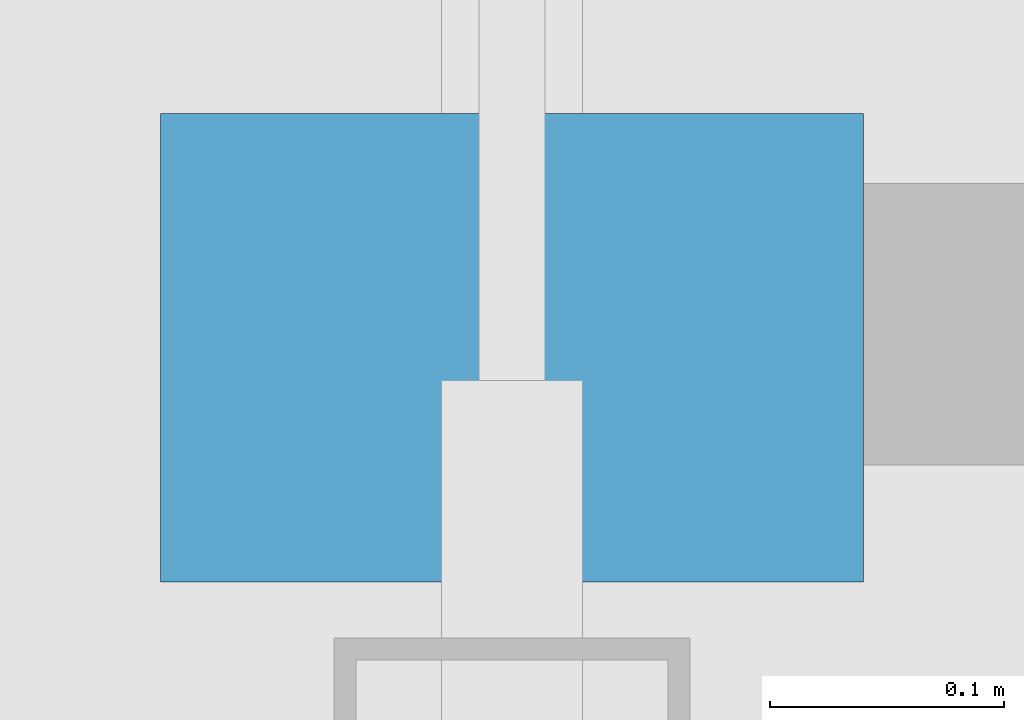
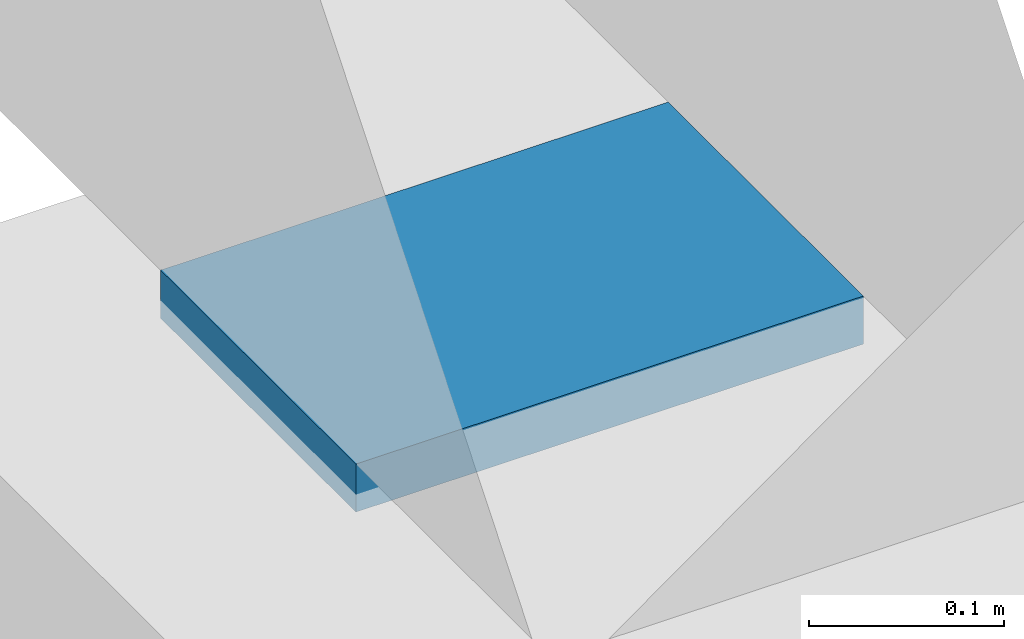
# One storey, part 106 of 131: 1 discrete accessory.
"""IFC4 building model written with IfcOpenShell, lengths in metres."""

from ifc_helpers import new_model, si_unit, direction, frame, origin, origin_2d, place, context, subcontext, project, spatial, rectangle, extrude, material, material_profile, profile_set, type_object, element, save


model = new_model("IFC4")

# Units and contexts
model_context = context("Model", 3, precision=1e-05, world=origin(), true_north=direction((0.0, 1.0)))
body_context = subcontext(model_context, "Body", "Model", "MODEL_VIEW")
ifc_project = project(units=[si_unit("LENGTHUNIT", "METRE"), si_unit("AREAUNIT", "SQUARE_METRE"), si_unit("VOLUMEUNIT", "CUBIC_METRE"), si_unit("PLANEANGLEUNIT", "RADIAN"), si_unit("MASSUNIT", "GRAM", prefix="KILO")], contexts=[model_context])

# Site, building, storey
site_placement = place(None, origin())
site = spatial("IfcSite", under=ifc_project, at=site_placement, CompositionType="ELEMENT")
building_placement = place(site_placement, origin())
building = spatial("IfcBuilding", under=site, at=building_placement, Name="Alderwick Market Hall", CompositionType="ELEMENT")
storey_placement = place(building_placement, frame((0.0, 0.0, 4.800048828125)))
storey = spatial("IfcBuildingStorey", under=building, at=storey_placement, Name="L00", CompositionType="ELEMENT", Elevation=4.800048828125)

# Discrete accessory
ifc_material = material(Name="PTFE-faced stainless steel sliding bearing on steel plate, ASTM A709 Grade 50", Category="steel")
ifc_material_profile = material_profile(ifc_material, rectangle(XDim=0.300048828125, YDim=0.030029296875, at=origin_2d()), Name="P Sliding Bearing 300x200x30")
ifc_profile_set = profile_set([ifc_material_profile], Name="PTFE-faced stainless steel sliding bearing on steel plate, ASTM A709 Grade 50")
discrete_accessory_type = type_object("IfcDiscreteAccessoryType", Name="P Sliding Bearing 300x200x30", PredefinedType="SHOE", material=ifc_profile_set)
discrete_accessory_placement = place(storey_placement, frame((126.300048828125, 43.89990234375, -1.1650390625), z_axis=(0.0, -1.0, 0.0), x_axis=(1.0, 0.0, 0.0)))
element("IfcDiscreteAccessory", 1, at=discrete_accessory_placement, inside=storey, type_object=discrete_accessory_type, Name="Sliding bearing", PredefinedType="SHOE", context=body_context, shape_type="SweptSolid", body=[
    extrude(rectangle(XDim=0.300048828125, YDim=0.030029296875, at=origin_2d()), origin(), (0.0, 0.0, 1.0), 0.199951171875),
])

save(model, "model.ifc")
